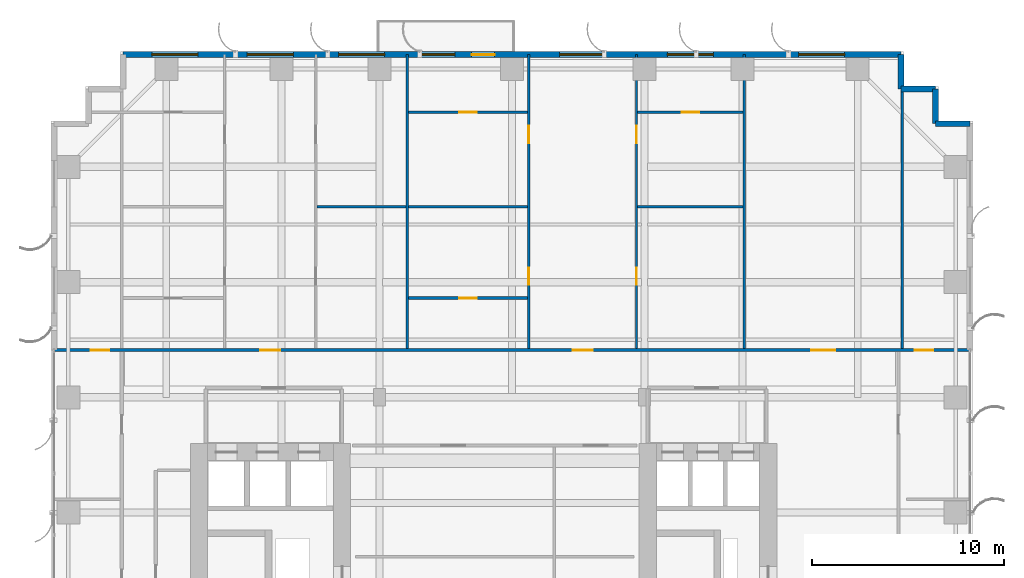
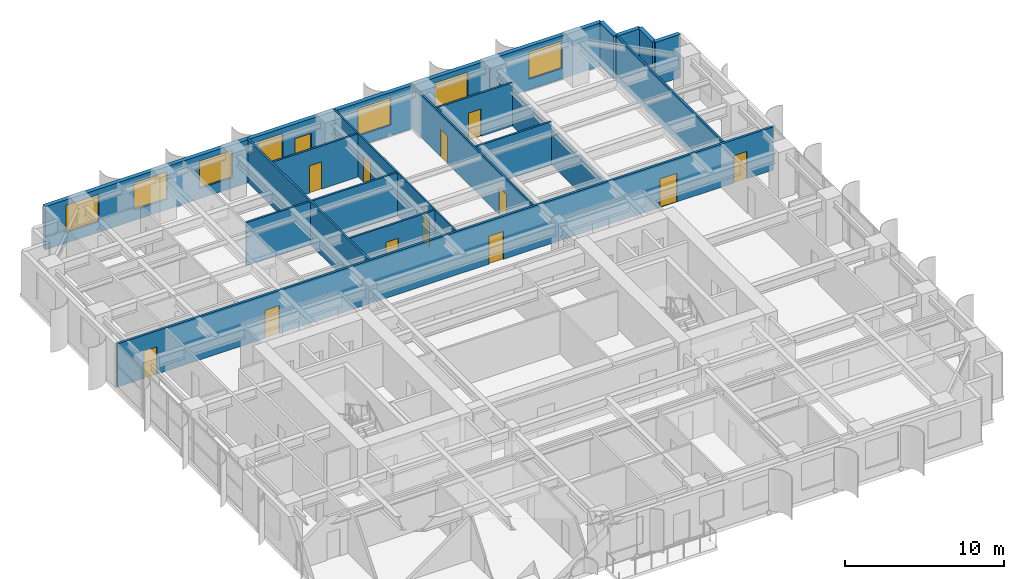
# One storey, part 13 of 18: 17 walls, 13 doors, 7 windows, 20 openings.
"""IFC4 building model written with IfcOpenShell, lengths in metres."""

from ifc_helpers import new_model, si_unit, direction, frame, frame_2d, origin, place, context, subcontext, project, spatial, rectangle, extrude, source, transform, mapped, material, layer, layer_set, type_object, element, fill, save


model = new_model("IFC4")

# Units and contexts
model_context = context("Model", 3, precision=1e-05, world=origin(), true_north=direction((0.0, 1.0)))
body_context = subcontext(model_context, "Body", "Model", "MODEL_VIEW")
ifc_project = project(units=[si_unit("LENGTHUNIT", "METRE"), si_unit("AREAUNIT", "SQUARE_METRE"), si_unit("VOLUMEUNIT", "CUBIC_METRE"), si_unit("PLANEANGLEUNIT", "RADIAN"), si_unit("MASSUNIT", "GRAM", prefix="KILO")], contexts=[model_context])

# Site, building, storey
site_placement = place(None, origin())
site = spatial("IfcSite", under=ifc_project, at=site_placement, CompositionType="ELEMENT")
building_placement = place(site_placement, origin())
building = spatial("IfcBuilding", under=site, at=building_placement, Name="Khoralis Quay Care Tower", CompositionType="ELEMENT")
storey_placement = place(building_placement, frame((0.0, 0.0, 47.699951171875)))
storey = spatial("IfcBuildingStorey", under=building, at=storey_placement, Name="L12", CompositionType="ELEMENT", Elevation=47.699951171875)

# Wall, openings, doors
ifc_material_1 = material(Name="Gypsum plasterboard on acoustic metal stud")
ifc_layer_1 = layer(ifc_material_1, 0.1650390625)
ifc_layer_set_1 = layer_set([ifc_layer_1], Name="Gypsum plasterboard on acoustic metal stud")
wall_type_1 = type_object("IfcWallType", Name="WL-CORR-165", PredefinedType="PARTITIONING", material=ifc_layer_set_1)
wall_1_placement = place(storey_placement, frame((0.14501953125, 32.4599609375, 0.0), z_axis=(0.0, 0.0, 1.0), x_axis=(1.0, 0.0, 0.0)))
wall_1 = element("IfcWall", 1, at=wall_1_placement, inside=storey, type_object=wall_type_1, Name="L12 North Main Corridor Wall", PredefinedType="PARTITIONING", context=body_context, shape_type="SweptSolid", body=[
    extrude(rectangle(XDim=47.7099609375, YDim=0.1650390625, at=frame_2d((23.85498046875, 0.0))), origin(), (0.0, 0.0, 1.0), 3.320068359375),
])
opening_1_placement = place(wall_1_placement, frame((10.742431640625, 0.0, 0.0)))
opening_1 = element("IfcOpeningElement", 2, at=opening_1_placement, cuts=wall_1, Name="Opening UD1", PredefinedType="OPENING", context=body_context, shape_type="SweptSolid", body=[
    extrude(rectangle(XDim=1.050048828125, YDim=2.14990234375, at=frame_2d((0.52490234375, 1.074951171875))), frame((0.0, 0.092529296875, 0.0), z_axis=(0.0, -1.0, 0.0), x_axis=(1.0, 0.0, 0.0)), (0.0, 0.0, 1.0), 0.18505859375),
])
opening_2_placement = place(wall_1_placement, frame((27.006103515625, 0.0, 0.0)))
opening_2 = element("IfcOpeningElement", 3, at=opening_2_placement, cuts=wall_1, Name="Opening UD1", PredefinedType="OPENING", context=body_context, shape_type="SweptSolid", body=[
    extrude(rectangle(XDim=1.050048828125, YDim=2.14990234375, at=frame_2d((0.52490234375, 1.074951171875))), frame((0.0, 0.092529296875, 0.0), z_axis=(0.0, -1.0, 0.0), x_axis=(1.0, 0.0, 0.0)), (0.0, 0.0, 1.0), 0.18505859375),
])
opening_3_placement = place(wall_1_placement, frame((39.43994140625, 0.0, 0.0)))
opening_3 = element("IfcOpeningElement", 4, at=opening_3_placement, cuts=wall_1, Name="Opening CD1", PredefinedType="OPENING", context=body_context, shape_type="SweptSolid", body=[
    extrude(rectangle(XDim=1.25, YDim=2.199951171875, at=frame_2d((0.625, 1.10009765625))), frame((0.0, 0.092529296875, 0.0), z_axis=(0.0, -1.0, 0.0), x_axis=(1.0, 0.0, 0.0)), (0.0, 0.0, 1.0), 0.18505859375),
])
opening_4_placement = place(wall_1_placement, frame((1.919921875, 0.0, 0.0)))
opening_4 = element("IfcOpeningElement", 5, at=opening_4_placement, cuts=wall_1, Name="Opening ID1", PredefinedType="OPENING", context=body_context, shape_type="SweptSolid", body=[
    extrude(rectangle(XDim=0.949951171875, YDim=2.10009765625, at=frame_2d((0.47509765625, 1.050048828125))), frame((0.0, 0.092529296875, 0.0), z_axis=(0.0, -1.0, 0.0), x_axis=(1.0, 0.0, 0.0)), (0.0, 0.0, 1.0), 0.18505859375),
])
opening_5_placement = place(wall_1_placement, frame((44.840087890625, 0.0, 0.0)))
opening_5 = element("IfcOpeningElement", 6, at=opening_5_placement, cuts=wall_1, Name="Opening ID1", PredefinedType="OPENING", context=body_context, shape_type="SweptSolid", body=[
    extrude(rectangle(XDim=0.949951171875, YDim=2.10009765625, at=frame_2d((0.47509765625, 1.050048828125))), frame((0.0, 0.092529296875, 0.0), z_axis=(0.0, -1.0, 0.0), x_axis=(1.0, 0.0, 0.0)), (0.0, 0.0, 1.0), 0.18505859375),
])
ifc_material_2 = material(Name="Acoustic hardwood timber", Category="wood")
door_type_1 = type_object("IfcDoorType", Name="DR-CARE-1250X2200", OperationType="NOTDEFINED", PredefinedType="DOOR", material=ifc_material_2)
shared_shape_1 = source(origin(), body_context, "Body", "SweptSolid", [
    extrude(rectangle(XDim=1.25, YDim=2.199951171875, at=frame_2d((0.625, 1.10009765625))), frame((0.0, 0.02490234375, 0.0), z_axis=(0.0, -1.0, 0.0), x_axis=(1.0, 0.0, 0.0)), (0.0, 0.0, 1.0), 0.050048828125),
])
door_1_placement = place(opening_3_placement, origin())
door_1 = element("IfcDoor", 7, at=door_1_placement, inside=storey, type_object=door_type_1, Name="L12 Geriatric Consultation Clinic Door", OperationType="SINGLE_SWING_RIGHT", OverallHeight=2.199951171875, OverallWidth=1.25, PredefinedType="DOOR", context=body_context, shape_type="MappedRepresentation", body=[
    mapped(shared_shape_1, transform((0.0, 0.0, 0.0), scale=1.0)),
])
fill(opening_3, door_1)
door_type_2 = type_object("IfcDoorType", Name="DR-ROOM-950X2100", OperationType="NOTDEFINED", PredefinedType="DOOR", material=ifc_material_2)
shared_shape_2 = source(origin(), body_context, "Body", "SweptSolid", [
    extrude(rectangle(XDim=0.949951171875, YDim=2.10009765625, at=frame_2d((0.47509765625, 1.050048828125))), frame((0.0, 0.02490234375, 0.0), z_axis=(0.0, -1.0, 0.0), x_axis=(1.0, 0.0, 0.0)), (0.0, 0.0, 1.0), 0.050048828125),
])
door_2_placement = place(opening_4_placement, origin())
door_2 = element("IfcDoor", 8, at=door_2_placement, inside=storey, type_object=door_type_2, Name="L12 NW Corner Door", OperationType="SINGLE_SWING_RIGHT", OverallHeight=2.10009765625, OverallWidth=0.949951171875, PredefinedType="DOOR", context=body_context, shape_type="MappedRepresentation", body=[
    mapped(shared_shape_2, transform((0.0, 0.0, 0.0), scale=1.0)),
])
fill(opening_4, door_2)
door_3_placement = place(opening_5_placement, origin())
door_3 = element("IfcDoor", 9, at=door_3_placement, inside=storey, type_object=door_type_2, Name="L12 NE Corner Door", OperationType="SINGLE_SWING_LEFT", OverallHeight=2.10009765625, OverallWidth=0.949951171875, PredefinedType="DOOR", context=body_context, shape_type="MappedRepresentation", body=[
    mapped(shared_shape_2, transform((0.0, 0.0, 0.0), scale=1.0)),
])
fill(opening_5, door_3)
door_type_3 = type_object("IfcDoorType", Name="DR-SUITE-1050X2150", OperationType="NOTDEFINED", PredefinedType="DOOR", material=ifc_material_2)
shared_shape_3 = source(origin(), body_context, "Body", "SweptSolid", [
    extrude(rectangle(XDim=1.050048828125, YDim=2.14990234375, at=frame_2d((0.52490234375, 1.074951171875))), frame((0.0, 0.02490234375, 0.0), z_axis=(0.0, -1.0, 0.0), x_axis=(1.0, 0.0, 0.0)), (0.0, 0.0, 1.0), 0.050048828125),
])
door_4_placement = place(opening_1_placement, origin())
door_4 = element("IfcDoor", 10, at=door_4_placement, inside=storey, type_object=door_type_3, Name="L12 2BR NB0 Entrance", OperationType="SINGLE_SWING_RIGHT", OverallHeight=2.14990234375, OverallWidth=1.050048828125, PredefinedType="DOOR", context=body_context, shape_type="MappedRepresentation", body=[
    mapped(shared_shape_3, transform((0.0, 0.0, 0.0), scale=1.0)),
])
fill(opening_1, door_4)
door_5_placement = place(opening_2_placement, origin())
door_5 = element("IfcDoor", 11, at=door_5_placement, inside=storey, type_object=door_type_3, Name="L12 2BR NB1 Entrance", OperationType="SINGLE_SWING_LEFT", OverallHeight=2.14990234375, OverallWidth=1.050048828125, PredefinedType="DOOR", context=body_context, shape_type="MappedRepresentation", body=[
    mapped(shared_shape_3, transform((0.0, 0.0, 0.0), scale=1.0)),
])
fill(opening_2, door_5)

# Walls
ifc_material_3 = material(Name="Precast concrete C45/55", Category="concrete")
ifc_layer_2 = layer(ifc_material_3, 0.300048828125)
ifc_layer_set_2 = layer_set([ifc_layer_2], Name="Precast concrete C45/55")
wall_type_2 = type_object("IfcWallType", Name="WL-EXT-REF-300", PredefinedType="SOLIDWALL", material=ifc_layer_set_2)
for number, where, z_axis, x_axis, name in (
    (12, (47.85009765625, 44.25, 0.0), (0.0, 0.0, 1.0), (-1.0, 0.0, 0.0), "L12 External Facade Wall WL-EXT-L12-P1-C6"),
    (13, (46.050048828125, 44.25, 0.0), (0.0, 0.0, 1.0), (0.0, 1.0, 0.0), "L12 External Facade Wall WL-EXT-L12-P1-C7"),
    (14, (46.050048828125, 46.050048828125, 0.0), (0.0, 0.0, 1.0), (-1.0, 0.0, 0.0), "L12 External Facade Wall WL-EXT-L12-P1-C8"),
    (15, (44.25, 46.050048828125, 0.0), (0.0, 0.0, 1.0), (0.0, 1.0, 0.0), "L12 External Facade Wall WL-EXT-L12-P1-C9"),
):
    element("IfcWall", number, at=place(storey_placement, frame(where, z_axis=z_axis, x_axis=x_axis)), inside=storey, type_object=wall_type_2, Name=name, PredefinedType="SOLIDWALL", context=body_context, shape_type="SweptSolid", body=[
        extrude(rectangle(XDim=1.800048828125, YDim=0.300048828125, at=frame_2d((0.89990234375, 0.0))), origin(), (0.0, 0.0, 1.0), 3.320068359375),
    ])

# Wall, openings, windows, door
wall_2_placement = place(storey_placement, frame((44.25, 47.85009765625, 0.0), z_axis=(0.0, 0.0, 1.0), x_axis=(-1.0, 0.0, 0.0)))
wall_2 = element("IfcWall", 16, at=wall_2_placement, inside=storey, type_object=wall_type_2, Name="L12 External Facade Wall WL-EXT-L12-P1-E10", PredefinedType="SOLIDWALL", context=body_context, shape_type="SweptSolid", body=[
    extrude(rectangle(XDim=40.5, YDim=0.300048828125, at=frame_2d((20.25, 0.0))), origin(), (0.0, 0.0, 1.0), 3.320068359375),
])
opening_6_placement = place(wall_2_placement, frame((2.925048828125, 0.0, 0.800048828125)))
opening_6 = element("IfcOpeningElement", 17, at=opening_6_placement, cuts=wall_2, Name="Opening W1", PredefinedType="OPENING", context=body_context, shape_type="SweptSolid", body=[
    extrude(rectangle(XDim=2.39990234375, YDim=2.10009765625, at=frame_2d((1.199951171875, 1.050048828125))), frame((0.0, 0.16015625, 0.0), z_axis=(0.0, -1.0, 0.0), x_axis=(1.0, 0.0, 0.0)), (0.0, 0.0, 1.0), 0.320068359375),
])
opening_7_placement = place(wall_2_placement, frame((9.758056640625, 0.0, 0.800048828125)))
opening_7 = element("IfcOpeningElement", 18, at=opening_7_placement, cuts=wall_2, Name="Opening W1", PredefinedType="OPENING", context=body_context, shape_type="SweptSolid", body=[
    extrude(rectangle(XDim=2.39990234375, YDim=2.10009765625, at=frame_2d((1.199951171875, 1.050048828125))), frame((0.0, 0.16015625, 0.0), z_axis=(0.0, -1.0, 0.0), x_axis=(1.0, 0.0, 0.0)), (0.0, 0.0, 1.0), 0.320068359375),
])
opening_8_placement = place(wall_2_placement, frame((15.3740234375, 0.0, 0.800048828125)))
opening_8 = element("IfcOpeningElement", 19, at=opening_8_placement, cuts=wall_2, Name="Opening W1", PredefinedType="OPENING", context=body_context, shape_type="SweptSolid", body=[
    extrude(rectangle(XDim=2.39990234375, YDim=2.10009765625, at=frame_2d((1.199951171875, 1.050048828125))), frame((0.0, 0.16015625, 0.0), z_axis=(0.0, -1.0, 0.0), x_axis=(1.0, 0.0, 0.0)), (0.0, 0.0, 1.0), 0.320068359375),
])
opening_9_placement = place(wall_2_placement, frame((23.219970703125, 0.0, 0.800048828125)))
opening_9 = element("IfcOpeningElement", 20, at=opening_9_placement, cuts=wall_2, Name="Opening W2", PredefinedType="OPENING", context=body_context, shape_type="SweptSolid", body=[
    extrude(rectangle(XDim=1.800048828125, YDim=2.10009765625, at=frame_2d((0.89990234375, 1.050048828125))), frame((0.0, 0.16015625, 0.0), z_axis=(0.0, -1.0, 0.0), x_axis=(1.0, 0.0, 0.0)), (0.0, 0.0, 1.0), 0.320068359375),
])
opening_10_placement = place(wall_2_placement, frame((26.87890625, 0.0, 0.800048828125)))
opening_10 = element("IfcOpeningElement", 21, at=opening_10_placement, cuts=wall_2, Name="Opening W1", PredefinedType="OPENING", context=body_context, shape_type="SweptSolid", body=[
    extrude(rectangle(XDim=2.39990234375, YDim=2.10009765625, at=frame_2d((1.199951171875, 1.050048828125))), frame((0.0, 0.16015625, 0.0), z_axis=(0.0, -1.0, 0.0), x_axis=(1.0, 0.0, 0.0)), (0.0, 0.0, 1.0), 0.320068359375),
])
opening_11_placement = place(wall_2_placement, frame((31.637451171875, 0.0, 0.800048828125)))
opening_11 = element("IfcOpeningElement", 22, at=opening_11_placement, cuts=wall_2, Name="Opening W1", PredefinedType="OPENING", context=body_context, shape_type="SweptSolid", body=[
    extrude(rectangle(XDim=2.39990234375, YDim=2.10009765625, at=frame_2d((1.199951171875, 1.050048828125))), frame((0.0, 0.16015625, 0.0), z_axis=(0.0, -1.0, 0.0), x_axis=(1.0, 0.0, 0.0)), (0.0, 0.0, 1.0), 0.320068359375),
])
opening_12_placement = place(wall_2_placement, frame((36.6083984375, 0.0, 0.800048828125)))
opening_12 = element("IfcOpeningElement", 23, at=opening_12_placement, cuts=wall_2, Name="Opening W1", PredefinedType="OPENING", context=body_context, shape_type="SweptSolid", body=[
    extrude(rectangle(XDim=2.39990234375, YDim=2.10009765625, at=frame_2d((1.199951171875, 1.050048828125))), frame((0.0, 0.16015625, 0.0), z_axis=(0.0, -1.0, 0.0), x_axis=(1.0, 0.0, 0.0)), (0.0, 0.0, 1.0), 0.320068359375),
])
opening_13_placement = place(wall_2_placement, frame((21.14990234375, 0.0, 0.0)))
opening_13 = element("IfcOpeningElement", 24, at=opening_13_placement, cuts=wall_2, Name="Opening BD1", PredefinedType="OPENING", context=body_context, shape_type="SweptSolid", body=[
    extrude(rectangle(XDim=1.199951171875, YDim=2.199951171875, at=frame_2d((0.60009765625, 1.10009765625))), frame((0.0, 0.16015625, 0.0), z_axis=(0.0, -1.0, 0.0), x_axis=(1.0, 0.0, 0.0)), (0.0, 0.0, 1.0), 0.320068359375),
])
ifc_material_4 = material(Name="Low-E solar-control double glazing", Category="glass")
window_type_1 = type_object("IfcWindowType", Name="WN-POD-2400X2100", PartitioningType="SINGLE_PANEL", PredefinedType="WINDOW", material=ifc_material_4)
shared_shape_4 = source(origin(), body_context, "Body", "SweptSolid", [
    extrude(rectangle(XDim=2.39990234375, YDim=2.10009765625, at=frame_2d((1.199951171875, 1.050048828125))), frame((0.0, 0.030029296875, 0.0), z_axis=(0.0, -1.0, 0.0), x_axis=(1.0, 0.0, 0.0)), (0.0, 0.0, 1.0), 0.06005859375),
])
window_1_placement = place(opening_6_placement, origin())
window_1 = element("IfcWindow", 25, at=window_1_placement, inside=storey, type_object=window_type_1, Name="WN-L12-P1-E10 Facade Window 01", OverallHeight=2.10009765625, OverallWidth=2.39990234375, PartitioningType="SINGLE_PANEL", PredefinedType="WINDOW", context=body_context, shape_type="MappedRepresentation", body=[
    mapped(shared_shape_4, transform((0.0, 0.0, 0.0), scale=1.0)),
])
fill(opening_6, window_1)
window_2_placement = place(opening_7_placement, origin())
window_2 = element("IfcWindow", 26, at=window_2_placement, inside=storey, type_object=window_type_1, Name="WN-L12-P1-E10 Facade Window 02", OverallHeight=2.10009765625, OverallWidth=2.39990234375, PartitioningType="SINGLE_PANEL", PredefinedType="WINDOW", context=body_context, shape_type="MappedRepresentation", body=[
    mapped(shared_shape_4, transform((0.0, 0.0, 0.0), scale=1.0)),
])
fill(opening_7, window_2)
window_3_placement = place(opening_8_placement, origin())
window_3 = element("IfcWindow", 27, at=window_3_placement, inside=storey, type_object=window_type_1, Name="WN-L12-P1-E10 Facade Window 03", OverallHeight=2.10009765625, OverallWidth=2.39990234375, PartitioningType="SINGLE_PANEL", PredefinedType="WINDOW", context=body_context, shape_type="MappedRepresentation", body=[
    mapped(shared_shape_4, transform((0.0, 0.0, 0.0), scale=1.0)),
])
fill(opening_8, window_3)
window_4_placement = place(opening_10_placement, origin())
window_4 = element("IfcWindow", 28, at=window_4_placement, inside=storey, type_object=window_type_1, Name="WN-L12-P1-E10 Facade Window 05", OverallHeight=2.10009765625, OverallWidth=2.39990234375, PartitioningType="SINGLE_PANEL", PredefinedType="WINDOW", context=body_context, shape_type="MappedRepresentation", body=[
    mapped(shared_shape_4, transform((0.0, 0.0, 0.0), scale=1.0)),
])
fill(opening_10, window_4)
window_5_placement = place(opening_11_placement, origin())
window_5 = element("IfcWindow", 29, at=window_5_placement, inside=storey, type_object=window_type_1, Name="WN-L12-P1-E10 Facade Window 06", OverallHeight=2.10009765625, OverallWidth=2.39990234375, PartitioningType="SINGLE_PANEL", PredefinedType="WINDOW", context=body_context, shape_type="MappedRepresentation", body=[
    mapped(shared_shape_4, transform((0.0, 0.0, 0.0), scale=1.0)),
])
fill(opening_11, window_5)
window_6_placement = place(opening_12_placement, origin())
window_6 = element("IfcWindow", 30, at=window_6_placement, inside=storey, type_object=window_type_1, Name="WN-L12-P1-E10 Facade Window 07", OverallHeight=2.10009765625, OverallWidth=2.39990234375, PartitioningType="SINGLE_PANEL", PredefinedType="WINDOW", context=body_context, shape_type="MappedRepresentation", body=[
    mapped(shared_shape_4, transform((0.0, 0.0, 0.0), scale=1.0)),
])
fill(opening_12, window_6)
window_type_2 = type_object("IfcWindowType", Name="WN-POD-1800X2100", PartitioningType="SINGLE_PANEL", PredefinedType="WINDOW", material=ifc_material_4)
shared_shape_5 = source(origin(), body_context, "Body", "SweptSolid", [
    extrude(rectangle(XDim=1.800048828125, YDim=2.10009765625, at=frame_2d((0.89990234375, 1.050048828125))), frame((0.0, 0.030029296875, 0.0), z_axis=(0.0, -1.0, 0.0), x_axis=(1.0, 0.0, 0.0)), (0.0, 0.0, 1.0), 0.06005859375),
])
window_7_placement = place(opening_9_placement, origin())
window_7 = element("IfcWindow", 31, at=window_7_placement, inside=storey, type_object=window_type_2, Name="WN-L12-P1-E10 Facade Window 04", OverallHeight=2.10009765625, OverallWidth=1.800048828125, PartitioningType="SINGLE_PANEL", PredefinedType="WINDOW", context=body_context, shape_type="MappedRepresentation", body=[
    mapped(shared_shape_5, transform((0.0, 0.0, 0.0), scale=1.0)),
])
fill(opening_9, window_7)
ifc_material_5 = material(Name="Anodised aluminium and laminated safety glass", Category="aluminium")
door_type_4 = type_object("IfcDoorType", Name="DR-EXT-BALC-1200X2200", OperationType="NOTDEFINED", PredefinedType="DOOR", material=ifc_material_5)
shared_shape_6 = source(origin(), body_context, "Body", "SweptSolid", [
    extrude(rectangle(XDim=1.199951171875, YDim=2.199951171875, at=frame_2d((0.60009765625, 1.10009765625))), frame((0.0, 0.02490234375, 0.0), z_axis=(0.0, -1.0, 0.0), x_axis=(1.0, 0.0, 0.0)), (0.0, 0.0, 1.0), 0.050048828125),
])
door_6_placement = place(opening_13_placement, frame((1.199951171875, 0.0, 0.0), z_axis=(0.0, 0.0, 1.0), x_axis=(-1.0, 0.0, 0.0)))
door_6 = element("IfcDoor", 32, at=door_6_placement, inside=storey, type_object=door_type_4, Name="L12 Senior Loggia Balcony Door", OperationType="SINGLE_SWING_LEFT", OverallHeight=2.199951171875, OverallWidth=1.199951171875, PredefinedType="DOOR", context=body_context, shape_type="MappedRepresentation", body=[
    mapped(shared_shape_6, transform((0.0, 0.0, 0.0), scale=1.0)),
])
fill(opening_13, door_6)

# Wall, openings, doors
ifc_layer_3 = layer(ifc_material_1, 0.114990234375)
ifc_layer_set_3 = layer_set([ifc_layer_3], Name="Gypsum plasterboard on acoustic metal stud")
wall_type_3 = type_object("IfcWallType", Name="WL-PART-115", PredefinedType="PARTITIONING", material=ifc_layer_set_3)
wall_3_placement = place(storey_placement, frame((24.867919921875, 32.53759765625, 0.0), z_axis=(0.0, 0.0, 1.0), x_axis=(0.0, 1.0, 0.0)))
wall_3 = element("IfcWall", 33, at=wall_3_placement, inside=storey, type_object=wall_type_3, Name="L12 2BR 1 Left Wall", PredefinedType="PARTITIONING", context=body_context, shape_type="SweptSolid", body=[
    extrude(rectangle(XDim=15.3173828125, YDim=0.114990234375, at=frame_2d((7.65869140625, 0.0))), origin(), (0.0, 0.0, 1.0), 3.320068359375),
])
opening_14_placement = place(wall_3_placement, frame((10.697021484375, 0.0, 0.0)))
opening_14 = element("IfcOpeningElement", 34, at=opening_14_placement, cuts=wall_3, Name="Opening WD1", PredefinedType="OPENING", context=body_context, shape_type="SweptSolid", body=[
    extrude(rectangle(XDim=0.89990234375, YDim=2.10009765625, at=frame_2d((0.449951171875, 1.050048828125))), frame((0.0, 0.0673828125, 0.0), z_axis=(0.0, -1.0, 0.0), x_axis=(1.0, 0.0, 0.0)), (0.0, 0.0, 1.0), 0.135009765625),
])
opening_15_placement = place(wall_3_placement, frame((3.31689453125, 0.0, 0.0)))
opening_15 = element("IfcOpeningElement", 35, at=opening_15_placement, cuts=wall_3, Name="Opening WD1", PredefinedType="OPENING", context=body_context, shape_type="SweptSolid", body=[
    extrude(rectangle(XDim=0.89990234375, YDim=2.10009765625, at=frame_2d((0.449951171875, 1.050048828125))), frame((0.0, 0.0673828125, 0.0), z_axis=(0.0, -1.0, 0.0), x_axis=(1.0, 0.0, 0.0)), (0.0, 0.0, 1.0), 0.135009765625),
])
door_type_5 = type_object("IfcDoorType", Name="DR-BATH-900X2100", OperationType="NOTDEFINED", PredefinedType="DOOR", material=ifc_material_2)
shared_shape_7 = source(origin(), body_context, "Body", "SweptSolid", [
    extrude(rectangle(XDim=0.89990234375, YDim=2.10009765625, at=frame_2d((0.449951171875, 1.050048828125))), frame((0.0, 0.02490234375, 0.0), z_axis=(0.0, -1.0, 0.0), x_axis=(1.0, 0.0, 0.0)), (0.0, 0.0, 1.0), 0.050048828125),
])
door_7_placement = place(opening_14_placement, origin())
door_7 = element("IfcDoor", 36, at=door_7_placement, inside=storey, type_object=door_type_5, Name="L12 2BR BD1 Door", OperationType="SINGLE_SWING_RIGHT", OverallHeight=2.10009765625, OverallWidth=0.89990234375, PredefinedType="DOOR", context=body_context, shape_type="MappedRepresentation", body=[
    mapped(shared_shape_7, transform((0.0, 0.0, 0.0), scale=1.0)),
])
fill(opening_14, door_7)
door_8_placement = place(opening_15_placement, origin())
door_8 = element("IfcDoor", 37, at=door_8_placement, inside=storey, type_object=door_type_5, Name="L12 2BR BTH Door", OperationType="SINGLE_SWING_LEFT", OverallHeight=2.10009765625, OverallWidth=0.89990234375, PredefinedType="DOOR", context=body_context, shape_type="MappedRepresentation", body=[
    mapped(shared_shape_7, transform((0.0, 0.0, 0.0), scale=1.0)),
])
fill(opening_15, door_8)

wall_4_placement = place(storey_placement, frame((30.48388671875, 32.53759765625, 0.0), z_axis=(0.0, 0.0, 1.0), x_axis=(0.0, 1.0, 0.0)))
wall_4 = element("IfcWall", 38, at=wall_4_placement, inside=storey, type_object=wall_type_3, Name="L12 2BR 1 Right Wall", PredefinedType="PARTITIONING", context=body_context, shape_type="SweptSolid", body=[
    extrude(rectangle(XDim=15.3173828125, YDim=0.114990234375, at=frame_2d((7.65869140625, 0.0))), origin(), (0.0, 0.0, 1.0), 3.320068359375),
])
opening_16_placement = place(wall_4_placement, frame((10.697021484375, 0.0, 0.0)))
opening_16 = element("IfcOpeningElement", 39, at=opening_16_placement, cuts=wall_4, Name="Opening WD1", PredefinedType="OPENING", context=body_context, shape_type="SweptSolid", body=[
    extrude(rectangle(XDim=0.89990234375, YDim=2.10009765625, at=frame_2d((0.449951171875, 1.050048828125))), frame((0.0, 0.0673828125, 0.0), z_axis=(0.0, -1.0, 0.0), x_axis=(1.0, 0.0, 0.0)), (0.0, 0.0, 1.0), 0.135009765625),
])
opening_17_placement = place(wall_4_placement, frame((3.31689453125, 0.0, 0.0)))
opening_17 = element("IfcOpeningElement", 40, at=opening_17_placement, cuts=wall_4, Name="Opening WD1", PredefinedType="OPENING", context=body_context, shape_type="SweptSolid", body=[
    extrude(rectangle(XDim=0.89990234375, YDim=2.10009765625, at=frame_2d((0.449951171875, 1.050048828125))), frame((0.0, 0.0673828125, 0.0), z_axis=(0.0, -1.0, 0.0), x_axis=(1.0, 0.0, 0.0)), (0.0, 0.0, 1.0), 0.135009765625),
])
door_9_placement = place(opening_16_placement, frame((0.89990234375, 0.0, 0.0), z_axis=(0.0, 0.0, 1.0), x_axis=(-1.0, 0.0, 0.0)))
door_9 = element("IfcDoor", 41, at=door_9_placement, inside=storey, type_object=door_type_5, Name="L12 2BR BD2 Door", OperationType="SINGLE_SWING_RIGHT", OverallHeight=2.10009765625, OverallWidth=0.89990234375, PredefinedType="DOOR", context=body_context, shape_type="MappedRepresentation", body=[
    mapped(shared_shape_7, transform((0.0, 0.0, 0.0), scale=1.0)),
])
fill(opening_16, door_9)
door_10_placement = place(opening_17_placement, frame((0.89990234375, 0.0, 0.0), z_axis=(0.0, 0.0, 1.0), x_axis=(-1.0, 0.0, 0.0)))
door_10 = element("IfcDoor", 42, at=door_10_placement, inside=storey, type_object=door_type_5, Name="L12 2BR KIT Door", OperationType="SINGLE_SWING_LEFT", OverallHeight=2.10009765625, OverallWidth=0.89990234375, PredefinedType="DOOR", context=body_context, shape_type="MappedRepresentation", body=[
    mapped(shared_shape_7, transform((0.0, 0.0, 0.0), scale=1.0)),
])
fill(opening_17, door_10)

# Walls
ifc_material_6 = material(Name="Moisture-resistant gypsum and ceramic tile")
ifc_layer_4 = layer(ifc_material_6, 0.280029296875)
ifc_layer_set_4 = layer_set([ifc_layer_4], Name="Moisture-resistant gypsum and ceramic tile")
wall_type_4 = type_object("IfcWallType", Name="WL-PLUMB-280", PredefinedType="PLUMBINGWALL", material=ifc_layer_set_4)
wall_5_placement = place(storey_placement, frame((13.844482421875, 39.9189453125, 0.0), z_axis=(0.0, 0.0, 1.0), x_axis=(1.0, 0.0, 0.0)))
element("IfcWall", 43, at=wall_5_placement, inside=storey, type_object=wall_type_4, Name="L12 2BR 0 Right Split", PredefinedType="PLUMBINGWALL", context=body_context, shape_type="SweptSolid", body=[
    extrude(rectangle(XDim=4.640625, YDim=0.139892578125, at=frame_2d((2.3203125, 0.0))), origin(), (0.0, 0.0, 1.0), 3.320068359375),
])
wall_6_placement = place(storey_placement, frame((18.614990234375, 39.9189453125, 0.0), z_axis=(0.0, 0.0, 1.0), x_axis=(1.0, 0.0, 0.0)))
element("IfcWall", 44, at=wall_6_placement, inside=storey, type_object=wall_type_4, Name="L12 2BR 1 Left Split", PredefinedType="PLUMBINGWALL", context=body_context, shape_type="SweptSolid", body=[
    extrude(rectangle(XDim=6.200439453125, YDim=0.139892578125, at=frame_2d((3.10009765625, 0.0))), origin(), (0.0, 0.0, 1.0), 3.320068359375),
])
wall_7_placement = place(storey_placement, frame((30.53662109375, 39.9189453125, 0.0), z_axis=(0.0, 0.0, 1.0), x_axis=(1.0, 0.0, 0.0)))
element("IfcWall", 45, at=wall_7_placement, inside=storey, type_object=wall_type_4, Name="L12 2BR 1 Right Split", PredefinedType="PLUMBINGWALL", context=body_context, shape_type="SweptSolid", body=[
    extrude(rectangle(XDim=5.498291015625, YDim=0.139892578125, at=frame_2d((2.7490234375, 0.0))), origin(), (0.0, 0.0, 1.0), 3.320068359375),
])
ifc_layer_5 = layer(ifc_material_1, 0.139892578125)
ifc_layer_set_5 = layer_set([ifc_layer_5], Name="Gypsum plasterboard on acoustic metal stud")
wall_type_5 = type_object("IfcWallType", Name="WL-UNIT-140", PredefinedType="PARTITIONING", material=ifc_layer_set_5)
wall_8_placement = place(storey_placement, frame((18.550048828125, 32.53759765625, 0.0), z_axis=(0.0, 0.0, 1.0), x_axis=(0.0, 1.0, 0.0)))
element("IfcWall", 46, at=wall_8_placement, inside=storey, type_object=wall_type_5, Name="L12 NB Demising Wall 1", PredefinedType="PARTITIONING", context=body_context, shape_type="SweptSolid", body=[
    extrude(rectangle(XDim=15.3173828125, YDim=0.139892578125, at=frame_2d((7.65869140625, 0.0))), origin(), (0.0, 0.0, 1.0), 3.320068359375),
])
wall_9_placement = place(storey_placement, frame((36.10009765625, 32.53759765625, 0.0), z_axis=(0.0, 0.0, 1.0), x_axis=(0.0, 1.0, 0.0)))
element("IfcWall", 47, at=wall_9_placement, inside=storey, type_object=wall_type_5, Name="L12 NB Demising Wall 2", PredefinedType="PARTITIONING", context=body_context, shape_type="SweptSolid", body=[
    extrude(rectangle(XDim=15.3173828125, YDim=0.139892578125, at=frame_2d((7.65869140625, 0.0))), origin(), (0.0, 0.0, 1.0), 2.625),
])
wall_10_placement = place(storey_placement, frame((44.320068359375, 32.53759765625, 0.0), z_axis=(0.0, 0.0, 1.0), x_axis=(0.0, 1.0, 0.0)))
element("IfcWall", 48, at=wall_10_placement, inside=storey, type_object=wall_type_5, Name="L12 NB Demising Wall 3", PredefinedType="PARTITIONING", context=body_context, shape_type="SweptSolid", body=[
    extrude(rectangle(XDim=13.517333984375, YDim=0.139892578125, at=frame_2d((6.7587890625, 0.0))), origin(), (0.0, 0.0, 1.0), 3.320068359375),
])

# Wall, opening, door
wall_11_placement = place(storey_placement, frame((18.614990234375, 44.85009765625, 0.0), z_axis=(0.0, 0.0, 1.0), x_axis=(1.0, 0.0, 0.0)))
wall_11 = element("IfcWall", 49, at=wall_11_placement, inside=storey, type_object=wall_type_5, Name="Family Apartment Master Bedroom L12-NB1 Sub-Partition", PredefinedType="PARTITIONING", context=body_context, shape_type="SweptSolid", body=[
    extrude(rectangle(XDim=6.200439453125, YDim=0.139892578125, at=frame_2d((3.10009765625, 0.0))), origin(), (0.0, 0.0, 1.0), 3.320068359375),
])
opening_18_placement = place(wall_11_placement, frame((2.64404296875, 0.0, 0.0)))
opening_18 = element("IfcOpeningElement", 50, at=opening_18_placement, cuts=wall_11, Name="Opening WD1", PredefinedType="OPENING", context=body_context, shape_type="SweptSolid", body=[
    extrude(rectangle(XDim=0.89990234375, YDim=2.10009765625, at=frame_2d((0.449951171875, 1.050048828125))), frame((0.0, 0.080078125, 0.0), z_axis=(0.0, -1.0, 0.0), x_axis=(1.0, 0.0, 0.0)), (0.0, 0.0, 1.0), 0.159912109375),
])
door_11_placement = place(opening_18_placement, frame((0.89990234375, 0.0, 0.0), z_axis=(0.0, 0.0, 1.0), x_axis=(-1.0, 0.0, 0.0)))
door_11 = element("IfcDoor", 51, at=door_11_placement, inside=storey, type_object=door_type_5, Name="Private Study & Reading Alcove BD11 Door", OperationType="SINGLE_SWING_LEFT", OverallHeight=2.10009765625, OverallWidth=0.89990234375, PredefinedType="DOOR", context=body_context, shape_type="MappedRepresentation", body=[
    mapped(shared_shape_7, transform((0.0, 0.0, 0.0), scale=1.0)),
])
fill(opening_18, door_11)

wall_12_placement = place(storey_placement, frame((30.53662109375, 44.85009765625, 0.0), z_axis=(0.0, 0.0, 1.0), x_axis=(1.0, 0.0, 0.0)))
wall_12 = element("IfcWall", 52, at=wall_12_placement, inside=storey, type_object=wall_type_5, Name="Family Apartment Guest Bedroom L12-NB1 Sub-Partition", PredefinedType="PARTITIONING", context=body_context, shape_type="SweptSolid", body=[
    extrude(rectangle(XDim=5.498291015625, YDim=0.139892578125, at=frame_2d((2.7490234375, 0.0))), origin(), (0.0, 0.0, 1.0), 3.320068359375),
])
opening_19_placement = place(wall_12_placement, frame((2.305419921875, 0.0, 0.0)))
opening_19 = element("IfcOpeningElement", 53, at=opening_19_placement, cuts=wall_12, Name="Opening WD1", PredefinedType="OPENING", context=body_context, shape_type="SweptSolid", body=[
    extrude(rectangle(XDim=0.89990234375, YDim=2.10009765625, at=frame_2d((0.449951171875, 1.050048828125))), frame((0.0, 0.080078125, 0.0), z_axis=(0.0, -1.0, 0.0), x_axis=(1.0, 0.0, 0.0)), (0.0, 0.0, 1.0), 0.159912109375),
])
door_12_placement = place(opening_19_placement, frame((0.89990234375, 0.0, 0.0), z_axis=(0.0, 0.0, 1.0), x_axis=(-1.0, 0.0, 0.0)))
door_12 = element("IfcDoor", 54, at=door_12_placement, inside=storey, type_object=door_type_5, Name="Private Study & Reading Alcove BD21 Door", OperationType="SINGLE_SWING_LEFT", OverallHeight=2.10009765625, OverallWidth=0.89990234375, PredefinedType="DOOR", context=body_context, shape_type="MappedRepresentation", body=[
    mapped(shared_shape_7, transform((0.0, 0.0, 0.0), scale=1.0)),
])
fill(opening_19, door_12)

wall_13_placement = place(storey_placement, frame((18.614990234375, 35.169921875, 0.0), z_axis=(0.0, 0.0, 1.0), x_axis=(1.0, 0.0, 0.0)))
wall_13 = element("IfcWall", 55, at=wall_13_placement, inside=storey, type_object=wall_type_5, Name="Family Apartment Bathroom L12-NB1 Sub-Partition", PredefinedType="PARTITIONING", context=body_context, shape_type="SweptSolid", body=[
    extrude(rectangle(XDim=6.200439453125, YDim=0.139892578125, at=frame_2d((3.10009765625, 0.0))), origin(), (0.0, 0.0, 1.0), 3.320068359375),
])
opening_20_placement = place(wall_13_placement, frame((2.64404296875, 0.0, 0.0)))
opening_20 = element("IfcOpeningElement", 56, at=opening_20_placement, cuts=wall_13, Name="Opening WD1", PredefinedType="OPENING", context=body_context, shape_type="SweptSolid", body=[
    extrude(rectangle(XDim=0.89990234375, YDim=2.10009765625, at=frame_2d((0.449951171875, 1.050048828125))), frame((0.0, 0.080078125, 0.0), z_axis=(0.0, -1.0, 0.0), x_axis=(1.0, 0.0, 0.0)), (0.0, 0.0, 1.0), 0.159912109375),
])
door_13_placement = place(opening_20_placement, origin())
door_13 = element("IfcDoor", 57, at=door_13_placement, inside=storey, type_object=door_type_5, Name="Linen & Utility Closet BTH1 Door", OperationType="SINGLE_SWING_LEFT", OverallHeight=2.10009765625, OverallWidth=0.89990234375, PredefinedType="DOOR", context=body_context, shape_type="MappedRepresentation", body=[
    mapped(shared_shape_7, transform((0.0, 0.0, 0.0), scale=1.0)),
])
fill(opening_20, door_13)

save(model, "model.ifc")
